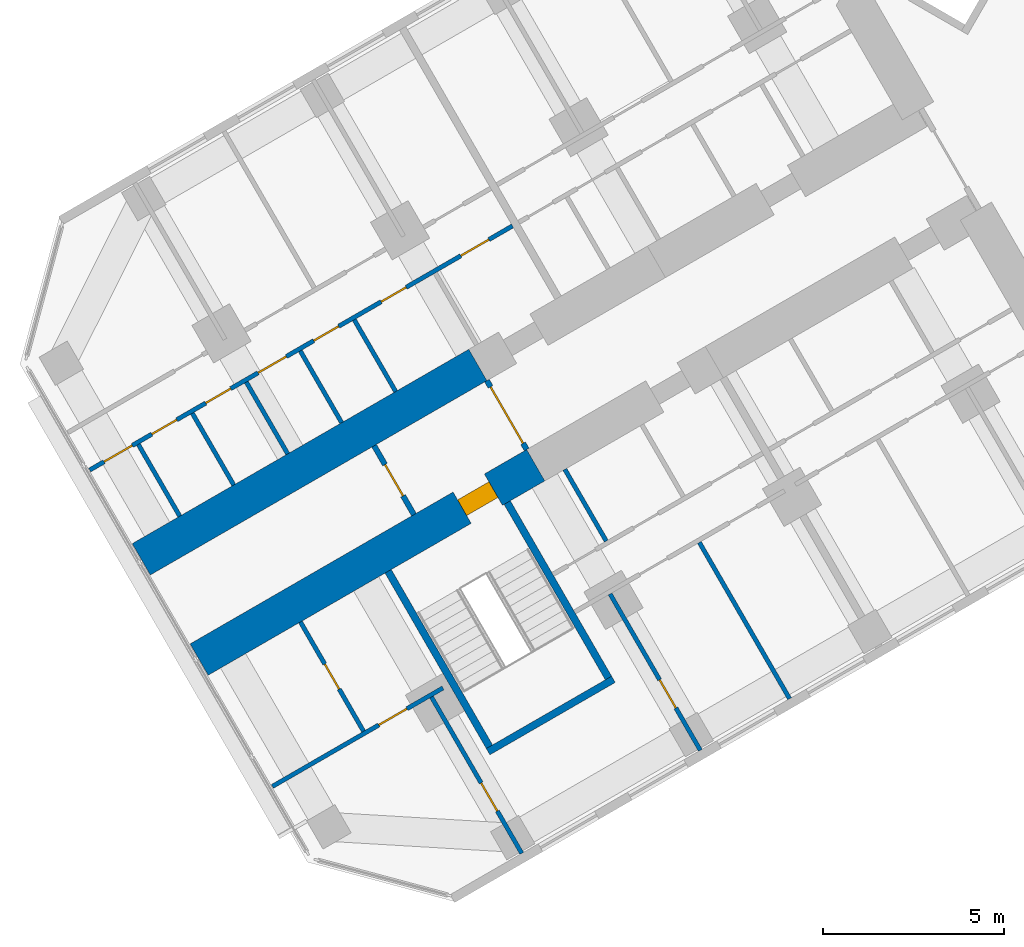
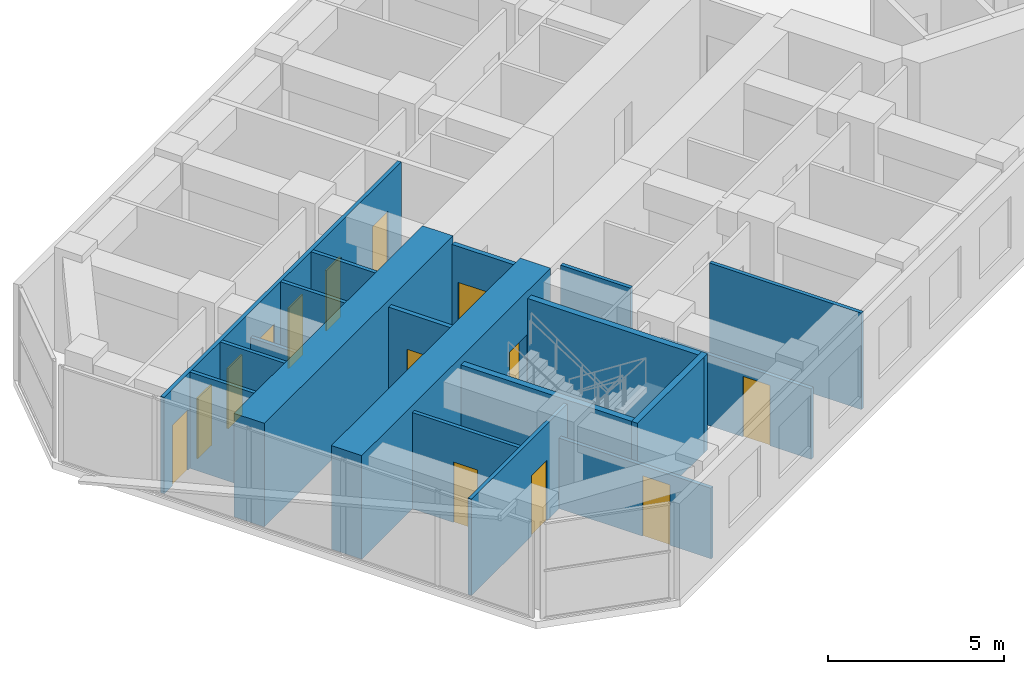
# One storey, part 10 of 22: 19 walls, 14 doors, 14 openings.
"""IFC4 building model written with IfcOpenShell, lengths in metres."""

from ifc_helpers import new_model, si_unit, direction, frame, frame_2d, origin, place, context, subcontext, project, spatial, rectangle, extrude, material, layer, layer_set, type_object, element, fill, save


model = new_model("IFC4")

# Units and contexts
model_context = context("Model", 3, precision=1e-05, world=origin(), true_north=direction((0.0, 1.0)))
body_context = subcontext(model_context, "Body", "Model", "MODEL_VIEW")
ifc_project = project(units=[si_unit("LENGTHUNIT", "METRE"), si_unit("AREAUNIT", "SQUARE_METRE"), si_unit("VOLUMEUNIT", "CUBIC_METRE"), si_unit("PLANEANGLEUNIT", "RADIAN"), si_unit("MASSUNIT", "GRAM", prefix="KILO")], contexts=[model_context])

# Site, building, storey
site_placement = place(None, origin())
site = spatial("IfcSite", under=ifc_project, at=site_placement, CompositionType="ELEMENT")
building_placement = place(site_placement, origin())
building = spatial("IfcBuilding", under=site, at=building_placement, Name="Kosmar Iwan School Tower", CompositionType="ELEMENT")
storey_placement = place(building_placement, frame((0.0, 0.0, 91.60009765625)))
storey = spatial("IfcBuildingStorey", under=building, at=storey_placement, Name="L22", CompositionType="ELEMENT", Elevation=91.60009765625)

# Wall, opening, door
ifc_material_1 = material(Name="Concrete C50/60", Category="concrete")
ifc_layer_1 = layer(ifc_material_1, 1.0)
ifc_layer_set_1 = layer_set([ifc_layer_1], Name="Corridor buttress wall 1000")
wall_type_1 = type_object("IfcWallType", Name="Corridor buttress wall 1000", PredefinedType="SHEAR", material=ifc_layer_set_1)
wall_1_placement = place(storey_placement, frame((-19.681396484375, -13.210693359375, 0.0), z_axis=(0.0, 0.0, 1.0), x_axis=(-0.866028186671, -0.499995179869, 0.0)))
wall_1 = element("IfcWall", 1, at=wall_1_placement, inside=storey, type_object=wall_type_1, Name="Corridor wall BL bay 3", PredefinedType="SHEAR", context=body_context, shape_type="SweptSolid", body=[
    extrude(rectangle(XDim=10.7451171875, YDim=1.0, at=frame_2d((5.37255859375, 0.0))), origin(), (0.0, 0.0, 1.0), 3.599853515625),
])
opening_1_placement = place(wall_1_placement, frame((1.35009765625, 0.0, 0.0)))
opening_1 = element("IfcOpeningElement", 2, at=opening_1_placement, cuts=wall_1, Name="Opening D6", PredefinedType="OPENING", context=body_context, shape_type="SweptSolid", body=[
    extrude(rectangle(XDim=1.0, YDim=2.10009765625, at=frame_2d((0.5, 1.050048828125))), frame((0.0, 0.511962890625, 0.0), z_axis=(0.0, -1.0, 0.0), x_axis=(1.0, 0.0, 0.0)), (0.0, 0.0, 1.0), 1.02392578125),
])
ifc_material_2 = material(Name="Steel fire door", Category="steel")
door_type_1 = type_object("IfcDoorType", Name="Stair door 1000x2100", OperationType="SINGLE_SWING_LEFT", PredefinedType="DOOR", material=ifc_material_2)
door_1_placement = place(opening_1_placement, origin())
door_1 = element("IfcDoor", 3, at=door_1_placement, inside=storey, type_object=door_type_1, Name="Stair WS2 door L22", OperationType="SINGLE_SWING_LEFT", OverallHeight=2.10009765625, OverallWidth=1.0, PredefinedType="DOOR", context=body_context, shape_type="SweptSolid", body=[
    extrude(rectangle(XDim=1.0, YDim=2.10009765625, at=frame_2d((0.5, 1.050048828125))), frame((0.0, 0.25, 0.0), z_axis=(0.0, -1.0, 0.0), x_axis=(1.0, 0.0, 0.0)), (0.0, 0.0, 1.0), 0.5),
])
fill(opening_1, door_1)

# Wall
wall_2_placement = place(storey_placement, frame((-21.281494140625, -10.439453125, 0.0), z_axis=(0.0, 0.0, 1.0), x_axis=(-0.866032345022, -0.499987977232, 0.0)))
element("IfcWall", 4, at=wall_2_placement, inside=storey, type_object=wall_type_1, Name="Corridor wall BR bay 3", PredefinedType="SHEAR", context=body_context, shape_type="SweptSolid", body=[
    extrude(rectangle(XDim=10.744873046875, YDim=1.0, at=frame_2d((5.37255859375, 0.0))), origin(), (0.0, 0.0, 1.0), 3.599853515625),
])

# Wall, opening, door
ifc_material_3 = material(Name="Gypsum board on steel studs, fire-rated", Category="steel")
ifc_layer_2 = layer(ifc_material_3, 0.14990234375)
ifc_layer_set_2 = layer_set([ifc_layer_2], Name="Corridor end wall 150")
wall_type_2 = type_object("IfcWallType", Name="Corridor end wall 150", PredefinedType="PARTITIONING", material=ifc_layer_set_2)
wall_3_placement = place(storey_placement, frame((-24.149169921875, -12.67236328125, 0.0), z_axis=(0.0, 0.0, 1.0), x_axis=(0.50002983664, -0.866008176907, 0.0)))
wall_3 = element("IfcWall", 5, at=wall_3_placement, inside=storey, type_object=wall_type_2, Name="Partition L22-B-CE", PredefinedType="PARTITIONING", context=body_context, shape_type="SweptSolid", body=[
    extrude(rectangle(XDim=2.199951171875, YDim=0.14990234375, at=frame_2d((1.10009765625, 0.0))), origin(), (0.0, 0.0, 1.0), 3.349853515625),
])
opening_2_placement = place(wall_3_placement, frame((0.60009765625, 0.0, 0.0)))
opening_2 = element("IfcOpeningElement", 6, at=opening_2_placement, cuts=wall_3, Name="Opening D13", PredefinedType="OPENING", context=body_context, shape_type="SweptSolid", body=[
    extrude(rectangle(XDim=1.0, YDim=2.10009765625, at=frame_2d((0.5, 1.050048828125))), frame((0.0, 0.0869140625, 0.0), z_axis=(0.0, -1.0, 0.0), x_axis=(1.0, 0.0, 0.0)), (0.0, 0.0, 1.0), 0.173828125),
])
ifc_material_4 = material(Name="Timber fire door with vision panel", Category="wood")
door_type_2 = type_object("IfcDoorType", Name="Corridor end door 1000x2100", OperationType="SINGLE_SWING_LEFT", PredefinedType="DOOR", material=ifc_material_4)
door_2_placement = place(opening_2_placement, origin())
door_2 = element("IfcDoor", 7, at=door_2_placement, inside=storey, type_object=door_type_2, Name="Reading room door L22-B", OperationType="SINGLE_SWING_LEFT", OverallHeight=2.10009765625, OverallWidth=1.0, PredefinedType="DOOR", context=body_context, shape_type="SweptSolid", body=[
    extrude(rectangle(XDim=1.0, YDim=2.10009765625, at=frame_2d((0.5, 1.050048828125))), frame((0.0, 0.02490234375, 0.0), z_axis=(0.0, -1.0, 0.0), x_axis=(1.0, 0.0, 0.0)), (0.0, 0.0, 1.0), 0.050048828125),
])
fill(opening_2, door_2)

wall_4_placement = place(storey_placement, frame((-21.031494140625, -10.872314453125, 0.0), z_axis=(0.0, 0.0, 1.0), x_axis=(0.50002983664, -0.866008176907, 0.0)))
wall_4 = element("IfcWall", 8, at=wall_4_placement, inside=storey, type_object=wall_type_2, Name="Partition L22-B-HW", PredefinedType="PARTITIONING", context=body_context, shape_type="SweptSolid", body=[
    extrude(rectangle(XDim=2.199951171875, YDim=0.14990234375, at=frame_2d((1.10009765625, 0.0))), origin(), (0.0, 0.0, 1.0), 3.349853515625),
])
opening_3_placement = place(wall_4_placement, frame((0.199951171875, 0.0, 0.0)))
opening_3 = element("IfcOpeningElement", 9, at=opening_3_placement, cuts=wall_4, Name="Opening D9", PredefinedType="OPENING", context=body_context, shape_type="SweptSolid", body=[
    extrude(rectangle(XDim=1.800048828125, YDim=2.10009765625, at=frame_2d((0.89990234375, 1.050048828125))), frame((0.0, 0.0869140625, 0.0), z_axis=(0.0, -1.0, 0.0), x_axis=(1.0, 0.0, 0.0)), (0.0, 0.0, 1.0), 0.173828125),
])
ifc_material_5 = material(Name="Steel framed glazed smoke door", Category="steel")
door_type_3 = type_object("IfcDoorType", Name="Corridor smoke door pair 1800x2100", OperationType="DOUBLE_DOOR_DOUBLE_SWING", PredefinedType="DOOR", material=ifc_material_5)
door_3_placement = place(opening_3_placement, origin())
door_3 = element("IfcDoor", 10, at=door_3_placement, inside=storey, type_object=door_type_3, Name="Entrance vestibule smoke doors L22-B", OperationType="DOUBLE_DOOR_DOUBLE_SWING", OverallHeight=2.10009765625, OverallWidth=1.800048828125, PredefinedType="DOOR", context=body_context, shape_type="SweptSolid", body=[
    extrude(rectangle(XDim=1.800048828125, YDim=2.10009765625, at=frame_2d((0.89990234375, 1.050048828125))), frame((0.0, 0.02490234375, 0.0), z_axis=(0.0, -1.0, 0.0), x_axis=(1.0, 0.0, 0.0)), (0.0, 0.0, 1.0), 0.050048828125),
])
fill(opening_3, door_3)

# Walls
ifc_material_6 = material(Name="Gypsum board on steel studs", Category="steel")
ifc_layer_3 = layer(ifc_material_6, 0.1201171875)
ifc_layer_set_3 = layer_set([ifc_layer_3], Name="Dwelling partition 120")
wall_type_3 = type_object("IfcWallType", Name="Dwelling partition 120", PredefinedType="PARTITIONING", material=ifc_layer_set_3)
wall_5_placement = place(storey_placement, frame((-15.158447265625, -15.344970703125, 0.0), z_axis=(0.0, 0.0, 1.0), x_axis=(0.500011847778, -0.866018563358, 0.0)))
element("IfcWall", 11, at=wall_5_placement, inside=storey, type_object=wall_type_3, Name="Partition L22-BL2-X1", PredefinedType="PARTITIONING", context=body_context, shape_type="SweptSolid", body=[
    extrude(rectangle(XDim=4.990234375, YDim=0.1201171875, at=frame_2d((2.4951171875, 0.0))), origin(), (0.0, 0.0, 1.0), 3.349853515625),
])
wall_6_placement = place(storey_placement, frame((-18.877197265625, -13.32373046875, 0.0), z_axis=(0.0, 0.0, 1.0), x_axis=(0.500014693593, -0.866016920268, 0.0)))
element("IfcWall", 12, at=wall_6_placement, inside=storey, type_object=wall_type_3, Name="Partition L22-BL2-Y2", PredefinedType="PARTITIONING", context=body_context, shape_type="SweptSolid", body=[
    extrude(rectangle(XDim=2.2900390625, YDim=0.1201171875, at=frame_2d((1.14501953125, 0.0))), origin(), (0.0, 0.0, 1.0), 3.349853515625),
])

# Wall, opening, door
wall_7_placement = place(storey_placement, frame((-17.62646484375, -16.77001953125, 0.0), z_axis=(0.0, 0.0, 1.0), x_axis=(0.499975153383, -0.86603974851, 0.0)))
wall_7 = element("IfcWall", 13, at=wall_7_placement, inside=storey, type_object=wall_type_3, Name="Partition L22-BL2-TB", PredefinedType="PARTITIONING", context=body_context, shape_type="SweptSolid", body=[
    extrude(rectangle(XDim=4.989990234375, YDim=0.1201171875, at=frame_2d((2.4951171875, 0.0))), origin(), (0.0, 0.0, 1.0), 2.449951171875),
])
opening_4_placement = place(wall_7_placement, frame((2.739990234375, 0.0, 0.0)))
opening_4 = element("IfcOpeningElement", 14, at=opening_4_placement, cuts=wall_7, Name="Opening D2", PredefinedType="OPENING", context=body_context, shape_type="SweptSolid", body=[
    extrude(rectangle(XDim=0.89990234375, YDim=2.10009765625, at=frame_2d((0.449951171875, 1.050048828125))), frame((0.0, 0.072021484375, 0.0), z_axis=(0.0, -1.0, 0.0), x_axis=(1.0, 0.0, 0.0)), (0.0, 0.0, 1.0), 0.14404296875),
])
ifc_material_7 = material(Name="Timber door in timber frame", Category="wood")
door_type_4 = type_object("IfcDoorType", Name="Internal door 900x2100", OperationType="SINGLE_SWING_LEFT", PredefinedType="DOOR", material=ifc_material_7)
door_4_placement = place(opening_4_placement, origin())
door_4 = element("IfcDoor", 15, at=door_4_placement, inside=storey, type_object=door_type_4, Name="Study door L22-BL2-F2", OperationType="SINGLE_SWING_RIGHT", OverallHeight=2.10009765625, OverallWidth=0.89990234375, PredefinedType="DOOR", context=body_context, shape_type="SweptSolid", body=[
    extrude(rectangle(XDim=0.89990234375, YDim=2.10009765625, at=frame_2d((0.449951171875, 1.050048828125))), frame((0.0, 0.02490234375, 0.0), z_axis=(0.0, -1.0, 0.0), x_axis=(1.0, 0.0, 0.0)), (0.0, 0.0, 1.0), 0.050048828125),
])
fill(opening_4, door_4)

wall_8_placement = place(storey_placement, frame((-22.562744140625, -19.6201171875, 0.0), z_axis=(0.0, 0.0, 1.0), x_axis=(0.499996339024, -0.86602751744, 0.0)))
wall_8 = element("IfcWall", 16, at=wall_8_placement, inside=storey, type_object=wall_type_3, Name="Partition L22-BL2-TX", PredefinedType="PARTITIONING", context=body_context, shape_type="SweptSolid", body=[
    extrude(rectangle(XDim=4.98974609375, YDim=0.1201171875, at=frame_2d((2.494873046875, 0.0))), origin(), (0.0, 0.0, 1.0), 2.449951171875),
])
opening_5_placement = place(wall_8_placement, frame((2.739990234375, 0.0, 0.0)))
opening_5 = element("IfcOpeningElement", 17, at=opening_5_placement, cuts=wall_8, Name="Opening D2", PredefinedType="OPENING", context=body_context, shape_type="SweptSolid", body=[
    extrude(rectangle(XDim=0.89990234375, YDim=2.10009765625, at=frame_2d((0.449951171875, 1.050048828125))), frame((0.0, 0.072021484375, 0.0), z_axis=(0.0, -1.0, 0.0), x_axis=(1.0, 0.0, 0.0)), (0.0, 0.0, 1.0), 0.14404296875),
])
door_5_placement = place(opening_5_placement, origin())
door_5 = element("IfcDoor", 18, at=door_5_placement, inside=storey, type_object=door_type_4, Name="Study door L22-BL2-T1", OperationType="SINGLE_SWING_RIGHT", OverallHeight=2.10009765625, OverallWidth=0.89990234375, PredefinedType="DOOR", context=body_context, shape_type="SweptSolid", body=[
    extrude(rectangle(XDim=0.89990234375, YDim=2.10009765625, at=frame_2d((0.449951171875, 1.050048828125))), frame((0.0, 0.02490234375, 0.0), z_axis=(0.0, -1.0, 0.0), x_axis=(1.0, 0.0, 0.0)), (0.0, 0.0, 1.0), 0.050048828125),
])
fill(opening_5, door_5)

wall_9_placement = place(storey_placement, frame((-22.246337890625, -19.3681640625, 0.0), z_axis=(0.0, 0.0, 1.0), x_axis=(-0.866035508231, -0.499982498177, 0.0)))
wall_9 = element("IfcWall", 19, at=wall_9_placement, inside=storey, type_object=wall_type_3, Name="Partition L22-BL2-TW", PredefinedType="PARTITIONING", context=body_context, shape_type="SweptSolid", body=[
    extrude(rectangle(XDim=5.445068359375, YDim=0.1201171875, at=frame_2d((2.72265625, 0.0))), origin(), (0.0, 0.0, 1.0), 3.349853515625),
])
opening_6_placement = place(wall_9_placement, frame((1.14990234375, 0.0, 0.0)))
opening_6 = element("IfcOpeningElement", 20, at=opening_6_placement, cuts=wall_9, Name="Opening D2", PredefinedType="OPENING", context=body_context, shape_type="SweptSolid", body=[
    extrude(rectangle(XDim=0.89990234375, YDim=2.10009765625, at=frame_2d((0.449951171875, 1.050048828125))), frame((0.0, 0.072021484375, 0.0), z_axis=(0.0, -1.0, 0.0), x_axis=(1.0, 0.0, 0.0)), (0.0, 0.0, 1.0), 0.14404296875),
])
door_6_placement = place(opening_6_placement, origin())
door_6 = element("IfcDoor", 21, at=door_6_placement, inside=storey, type_object=door_type_4, Name="Dressing room door L22-BL2-T3", OperationType="SINGLE_SWING_LEFT", OverallHeight=2.10009765625, OverallWidth=0.89990234375, PredefinedType="DOOR", context=body_context, shape_type="SweptSolid", body=[
    extrude(rectangle(XDim=0.89990234375, YDim=2.10009765625, at=frame_2d((0.449951171875, 1.050048828125))), frame((0.0, 0.02490234375, 0.0), z_axis=(0.0, -1.0, 0.0), x_axis=(1.0, 0.0, 0.0)), (0.0, 0.0, 1.0), 0.050048828125),
])
fill(opening_6, door_6)

wall_10_placement = place(storey_placement, frame((-26.1865234375, -17.543701171875, 0.0), z_axis=(0.0, 0.0, 1.0), x_axis=(0.50002117804, -0.866013176292, 0.0)))
wall_10 = element("IfcWall", 22, at=wall_10_placement, inside=storey, type_object=wall_type_3, Name="Partition L22-BL2-TY", PredefinedType="PARTITIONING", context=body_context, shape_type="SweptSolid", body=[
    extrude(rectangle(XDim=3.489990234375, YDim=0.1201171875, at=frame_2d((1.7451171875, 0.0))), origin(), (0.0, 0.0, 1.0), 3.349853515625),
])
opening_7_placement = place(wall_10_placement, frame((1.344970703125, 0.0, 0.0)))
opening_7 = element("IfcOpeningElement", 23, at=opening_7_placement, cuts=wall_10, Name="Opening D3", PredefinedType="OPENING", context=body_context, shape_type="SweptSolid", body=[
    extrude(rectangle(XDim=0.800048828125, YDim=2.10009765625, at=frame_2d((0.39990234375, 1.050048828125))), frame((0.0, 0.072021484375, 0.0), z_axis=(0.0, -1.0, 0.0), x_axis=(1.0, 0.0, 0.0)), (0.0, 0.0, 1.0), 0.14404296875),
])
ifc_material_8 = material(Name="Timber door in timber frame", Category="wood")
door_type_5 = type_object("IfcDoorType", Name="Sanitary room door 800x2100", OperationType="SINGLE_SWING_LEFT", PredefinedType="DOOR", material=ifc_material_8)
door_7_placement = place(opening_7_placement, origin())
door_7 = element("IfcDoor", 24, at=door_7_placement, inside=storey, type_object=door_type_5, Name="Shower room door L22-BL2-T4", OperationType="SINGLE_SWING_LEFT", OverallHeight=2.10009765625, OverallWidth=0.800048828125, PredefinedType="DOOR", context=body_context, shape_type="SweptSolid", body=[
    extrude(rectangle(XDim=0.800048828125, YDim=2.10009765625, at=frame_2d((0.39990234375, 1.050048828125))), frame((0.0, 0.02490234375, 0.0), z_axis=(0.0, -1.0, 0.0), x_axis=(1.0, 0.0, 0.0)), (0.0, 0.0, 1.0), 0.050048828125),
])
fill(opening_7, door_7)

# Wall, openings, doors
wall_11_placement = place(storey_placement, frame((-20.324951171875, -6.59619140625, 0.0), z_axis=(0.0, 0.0, 1.0), x_axis=(-0.866023503214, -0.50000329187, 0.0)))
wall_11 = element("IfcWall", 25, at=wall_11_placement, inside=storey, type_object=wall_type_3, Name="Partition L22-BR2-W1", PredefinedType="PARTITIONING", context=body_context, shape_type="SweptSolid", body=[
    extrude(rectangle(XDim=13.4951171875, YDim=0.1201171875, at=frame_2d((6.74755859375, 0.0))), origin(), (0.0, 0.0, 1.0), 3.349853515625),
])
opening_8_placement = place(wall_11_placement, frame((0.75, 0.0, 0.0)))
opening_8 = element("IfcOpeningElement", 26, at=opening_8_placement, cuts=wall_11, Name="Opening D2", PredefinedType="OPENING", context=body_context, shape_type="SweptSolid", body=[
    extrude(rectangle(XDim=0.89990234375, YDim=2.10009765625, at=frame_2d((0.449951171875, 1.050048828125))), frame((0.0, 0.072021484375, 0.0), z_axis=(0.0, -1.0, 0.0), x_axis=(1.0, 0.0, 0.0)), (0.0, 0.0, 1.0), 0.14404296875),
])
opening_9_placement = place(wall_11_placement, frame((3.392333984375, 0.0, 0.0)))
opening_9 = element("IfcOpeningElement", 27, at=opening_9_placement, cuts=wall_11, Name="Opening D3", PredefinedType="OPENING", context=body_context, shape_type="SweptSolid", body=[
    extrude(rectangle(XDim=0.800048828125, YDim=2.10009765625, at=frame_2d((0.39990234375, 1.050048828125))), frame((0.0, 0.072021484375, 0.0), z_axis=(0.0, -1.0, 0.0), x_axis=(1.0, 0.0, 0.0)), (0.0, 0.0, 1.0), 0.14404296875),
])
opening_10_placement = place(wall_11_placement, frame((5.546142578125, 0.0, 0.0)))
opening_10 = element("IfcOpeningElement", 28, at=opening_10_placement, cuts=wall_11, Name="Opening D3", PredefinedType="OPENING", context=body_context, shape_type="SweptSolid", body=[
    extrude(rectangle(XDim=0.800048828125, YDim=2.10009765625, at=frame_2d((0.39990234375, 1.050048828125))), frame((0.0, 0.072021484375, 0.0), z_axis=(0.0, -1.0, 0.0), x_axis=(1.0, 0.0, 0.0)), (0.0, 0.0, 1.0), 0.14404296875),
])
opening_11_placement = place(wall_11_placement, frame((7.21923828125, 0.0, 0.0)))
opening_11 = element("IfcOpeningElement", 29, at=opening_11_placement, cuts=wall_11, Name="Opening D2", PredefinedType="OPENING", context=body_context, shape_type="SweptSolid", body=[
    extrude(rectangle(XDim=0.89990234375, YDim=2.10009765625, at=frame_2d((0.449951171875, 1.050048828125))), frame((0.0, 0.072021484375, 0.0), z_axis=(0.0, -1.0, 0.0), x_axis=(1.0, 0.0, 0.0)), (0.0, 0.0, 1.0), 0.14404296875),
])
opening_12_placement = place(wall_11_placement, frame((8.992431640625, 0.0, 0.0)))
opening_12 = element("IfcOpeningElement", 30, at=opening_12_placement, cuts=wall_11, Name="Opening D3", PredefinedType="OPENING", context=body_context, shape_type="SweptSolid", body=[
    extrude(rectangle(XDim=0.800048828125, YDim=2.10009765625, at=frame_2d((0.39990234375, 1.050048828125))), frame((0.0, 0.072021484375, 0.0), z_axis=(0.0, -1.0, 0.0), x_axis=(1.0, 0.0, 0.0)), (0.0, 0.0, 1.0), 0.14404296875),
])
opening_13_placement = place(wall_11_placement, frame((10.71533203125, 0.0, 0.0)))
opening_13 = element("IfcOpeningElement", 31, at=opening_13_placement, cuts=wall_11, Name="Opening D3", PredefinedType="OPENING", context=body_context, shape_type="SweptSolid", body=[
    extrude(rectangle(XDim=0.800048828125, YDim=2.10009765625, at=frame_2d((0.39990234375, 1.050048828125))), frame((0.0, 0.072021484375, 0.0), z_axis=(0.0, -1.0, 0.0), x_axis=(1.0, 0.0, 0.0)), (0.0, 0.0, 1.0), 0.14404296875),
])
opening_14_placement = place(wall_11_placement, frame((12.136962890625, 0.0, 0.0)))
opening_14 = element("IfcOpeningElement", 32, at=opening_14_placement, cuts=wall_11, Name="Opening D2", PredefinedType="OPENING", context=body_context, shape_type="SweptSolid", body=[
    extrude(rectangle(XDim=0.89990234375, YDim=2.10009765625, at=frame_2d((0.449951171875, 1.050048828125))), frame((0.0, 0.072021484375, 0.0), z_axis=(0.0, -1.0, 0.0), x_axis=(1.0, 0.0, 0.0)), (0.0, 0.0, 1.0), 0.14404296875),
])
door_8_placement = place(opening_8_placement, origin())
door_8 = element("IfcDoor", 33, at=door_8_placement, inside=storey, type_object=door_type_4, Name="Entrance hall door L22-BR2-S1", OperationType="SINGLE_SWING_RIGHT", OverallHeight=2.10009765625, OverallWidth=0.89990234375, PredefinedType="DOOR", context=body_context, shape_type="SweptSolid", body=[
    extrude(rectangle(XDim=0.89990234375, YDim=2.10009765625, at=frame_2d((0.449951171875, 1.050048828125))), frame((0.0, 0.02490234375, 0.0), z_axis=(0.0, -1.0, 0.0), x_axis=(1.0, 0.0, 0.0)), (0.0, 0.0, 1.0), 0.050048828125),
])
fill(opening_8, door_8)
door_9_placement = place(opening_11_placement, origin())
door_9 = element("IfcDoor", 34, at=door_9_placement, inside=storey, type_object=door_type_4, Name="Pantry door L22-BR2-S4", OperationType="SINGLE_SWING_LEFT", OverallHeight=2.10009765625, OverallWidth=0.89990234375, PredefinedType="DOOR", context=body_context, shape_type="SweptSolid", body=[
    extrude(rectangle(XDim=0.89990234375, YDim=2.10009765625, at=frame_2d((0.449951171875, 1.050048828125))), frame((0.0, 0.02490234375, 0.0), z_axis=(0.0, -1.0, 0.0), x_axis=(1.0, 0.0, 0.0)), (0.0, 0.0, 1.0), 0.050048828125),
])
fill(opening_11, door_9)
door_10_placement = place(opening_14_placement, origin())
door_10 = element("IfcDoor", 35, at=door_10_placement, inside=storey, type_object=door_type_4, Name="Utility room door L22-BR2-S7", OperationType="SINGLE_SWING_LEFT", OverallHeight=2.10009765625, OverallWidth=0.89990234375, PredefinedType="DOOR", context=body_context, shape_type="SweptSolid", body=[
    extrude(rectangle(XDim=0.89990234375, YDim=2.10009765625, at=frame_2d((0.449951171875, 1.050048828125))), frame((0.0, 0.02490234375, 0.0), z_axis=(0.0, -1.0, 0.0), x_axis=(1.0, 0.0, 0.0)), (0.0, 0.0, 1.0), 0.050048828125),
])
fill(opening_14, door_10)
door_11_placement = place(opening_9_placement, origin())
door_11 = element("IfcDoor", 36, at=door_11_placement, inside=storey, type_object=door_type_5, Name="Bathroom door L22-BR2-S2", OperationType="SINGLE_SWING_LEFT", OverallHeight=2.10009765625, OverallWidth=0.800048828125, PredefinedType="DOOR", context=body_context, shape_type="SweptSolid", body=[
    extrude(rectangle(XDim=0.800048828125, YDim=2.10009765625, at=frame_2d((0.39990234375, 1.050048828125))), frame((0.0, 0.02490234375, 0.0), z_axis=(0.0, -1.0, 0.0), x_axis=(1.0, 0.0, 0.0)), (0.0, 0.0, 1.0), 0.050048828125),
])
fill(opening_9, door_11)
door_12_placement = place(opening_10_placement, origin())
door_12 = element("IfcDoor", 37, at=door_12_placement, inside=storey, type_object=door_type_5, Name="Shower room door L22-BR2-S3", OperationType="SINGLE_SWING_RIGHT", OverallHeight=2.10009765625, OverallWidth=0.800048828125, PredefinedType="DOOR", context=body_context, shape_type="SweptSolid", body=[
    extrude(rectangle(XDim=0.800048828125, YDim=2.10009765625, at=frame_2d((0.39990234375, 1.050048828125))), frame((0.0, 0.02490234375, 0.0), z_axis=(0.0, -1.0, 0.0), x_axis=(1.0, 0.0, 0.0)), (0.0, 0.0, 1.0), 0.050048828125),
])
fill(opening_10, door_12)
door_13_placement = place(opening_12_placement, origin())
door_13 = element("IfcDoor", 38, at=door_13_placement, inside=storey, type_object=door_type_5, Name="WC door L22-BR2-S5", OperationType="SINGLE_SWING_RIGHT", OverallHeight=2.10009765625, OverallWidth=0.800048828125, PredefinedType="DOOR", context=body_context, shape_type="SweptSolid", body=[
    extrude(rectangle(XDim=0.800048828125, YDim=2.10009765625, at=frame_2d((0.39990234375, 1.050048828125))), frame((0.0, 0.02490234375, 0.0), z_axis=(0.0, -1.0, 0.0), x_axis=(1.0, 0.0, 0.0)), (0.0, 0.0, 1.0), 0.050048828125),
])
fill(opening_12, door_13)
door_14_placement = place(opening_13_placement, origin())
door_14 = element("IfcDoor", 39, at=door_14_placement, inside=storey, type_object=door_type_5, Name="Store door L22-BR2-S6", OperationType="SINGLE_SWING_LEFT", OverallHeight=2.10009765625, OverallWidth=0.800048828125, PredefinedType="DOOR", context=body_context, shape_type="SweptSolid", body=[
    extrude(rectangle(XDim=0.800048828125, YDim=2.10009765625, at=frame_2d((0.39990234375, 1.050048828125))), frame((0.0, 0.02490234375, 0.0), z_axis=(0.0, -1.0, 0.0), x_axis=(1.0, 0.0, 0.0)), (0.0, 0.0, 1.0), 0.050048828125),
])
fill(opening_13, door_14)

# Walls
for number, where, z_axis, x_axis, name in (
    (40, (-23.55322265625, -11.173583984375, 0.0), (0.0, 0.0, 1.0), (-0.500014693593, 0.866016920268, 0.0), "Partition L22-BR2-Y2"),
    (41, (-25.045654296875, -12.03515625, 0.0), (0.0, 0.0, 1.0), (-0.500014693593, 0.866016920268, 0.0), "Partition L22-BR2-Y3"),
):
    element("IfcWall", number, at=place(storey_placement, frame(where, z_axis=z_axis, x_axis=x_axis)), inside=storey, type_object=wall_type_3, Name=name, PredefinedType="PARTITIONING", context=body_context, shape_type="SweptSolid", body=[
        extrude(rectangle(XDim=2.2900390625, YDim=0.1201171875, at=frame_2d((1.14501953125, 0.0))), origin(), (0.0, 0.0, 1.0), 3.349853515625),
    ])
wall_12_placement = place(storey_placement, frame((-26.537841796875, -12.896728515625, 0.0), z_axis=(0.0, 0.0, 1.0), x_axis=(-0.500014693593, 0.866016920268, 0.0)))
element("IfcWall", 42, at=wall_12_placement, inside=storey, type_object=wall_type_3, Name="Partition L22-BR2-Y4", PredefinedType="PARTITIONING", context=body_context, shape_type="SweptSolid", body=[
    extrude(rectangle(XDim=2.2900390625, YDim=0.1201171875, at=frame_2d((1.14501953125, 0.0))), origin(), (0.0, 0.0, 1.0), 2.449951171875),
])
for number, where, z_axis, x_axis, name in (
    (43, (-28.030029296875, -13.75830078125, 0.0), (0.0, 0.0, 1.0), (-0.500014693593, 0.866016920268, 0.0), "Partition L22-BR2-Y5"),
    (44, (-29.522216796875, -14.619873046875, 0.0), (0.0, 0.0, 1.0), (-0.500014693593, 0.866016920268, 0.0), "Partition L22-BR2-Y6"),
):
    element("IfcWall", number, at=place(storey_placement, frame(where, z_axis=z_axis, x_axis=x_axis)), inside=storey, type_object=wall_type_3, Name=name, PredefinedType="PARTITIONING", context=body_context, shape_type="SweptSolid", body=[
        extrude(rectangle(XDim=2.2900390625, YDim=0.1201171875, at=frame_2d((1.14501953125, 0.0))), origin(), (0.0, 0.0, 1.0), 3.349853515625),
    ])
ifc_material_9 = material(Name="Concrete C35/45", Category="concrete")
ifc_layer_4 = layer(ifc_material_9, 0.199951171875)
ifc_layer_set_4 = layer_set([ifc_layer_4], Name="Escape stair wall 200")
wall_type_4 = type_object("IfcWallType", Name="Escape stair wall 200", PredefinedType="SHEAR", material=ifc_layer_set_4)
for number, where, z_axis, x_axis, name in (
    (45, (-20.470703125, -14.24365234375, 0.0), (0.0, 0.0, 1.0), (0.499987231761, -0.866032775405, 0.0), "Stair WS2 wall"),
    (46, (-23.76171875, -16.1435546875, 0.0), (0.0, 0.0, 1.0), (0.500018801468, -0.86601454848, 0.0), "Stair WS2 wall"),
):
    element("IfcWall", number, at=place(storey_placement, frame(where, z_axis=z_axis, x_axis=x_axis)), inside=storey, type_object=wall_type_4, Name=name, PredefinedType="SHEAR", context=body_context, shape_type="SweptSolid", body=[
        extrude(rectangle(XDim=5.800048828125, YDim=0.199951171875, at=frame_2d((2.89990234375, 0.0))), origin(), (0.0, 0.0, 1.0), 3.329833984375),
    ])
wall_13_placement = place(storey_placement, frame((-17.5341796875, -19.1298828125, 0.0), z_axis=(0.0, 0.0, 1.0), x_axis=(-0.866026010844, -0.49999894854, 0.0)))
element("IfcWall", 47, at=wall_13_placement, inside=storey, type_object=wall_type_4, Name="Stair WS2 wall", PredefinedType="SHEAR", context=body_context, shape_type="SweptSolid", body=[
    extrude(rectangle(XDim=4.0, YDim=0.199951171875, at=frame_2d((2.0, 0.0))), origin(), (0.0, 0.0, 1.0), 3.329833984375),
])

save(model, "model.ifc")
